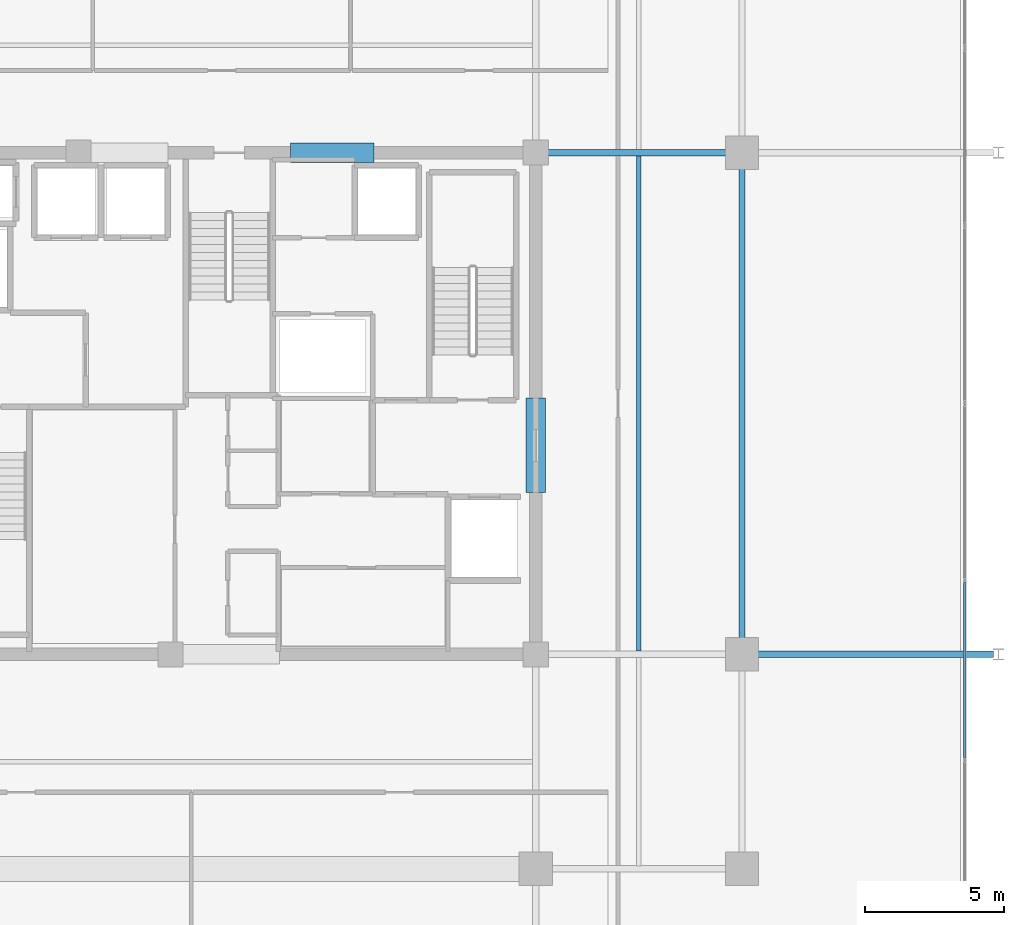
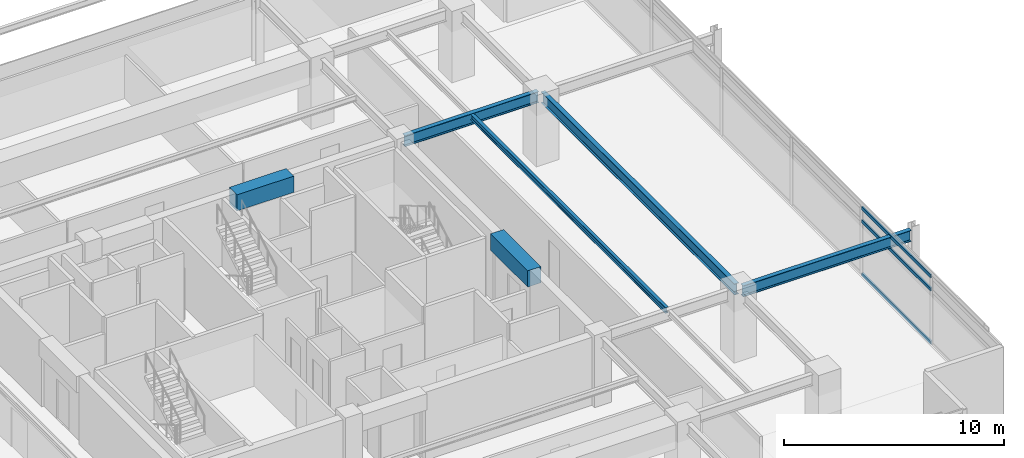
# One storey, part 8 of 18: 6 beams, 3 members, 1 element without a shape of its own.
"""IFC4 building model written with IfcOpenShell, lengths in metres."""

from ifc_helpers import new_model, si_unit, direction, frame, origin, origin_2d, place, context, subcontext, project, spatial, rectangle, hollow_rectangle, i_section, extrude, material, material_profile, profile_set, type_object, element, aggregate, save


model = new_model("IFC4")

# Units and contexts
model_context = context("Model", 3, precision=1e-05, world=origin(), true_north=direction((0.0, 1.0)))
body_context = subcontext(model_context, "Body", "Model", "MODEL_VIEW")
ifc_project = project(units=[si_unit("LENGTHUNIT", "METRE"), si_unit("AREAUNIT", "SQUARE_METRE"), si_unit("VOLUMEUNIT", "CUBIC_METRE"), si_unit("PLANEANGLEUNIT", "RADIAN"), si_unit("MASSUNIT", "GRAM", prefix="KILO")], contexts=[model_context])

# Site, building, storey
site_placement = place(None, origin())
site = spatial("IfcSite", under=ifc_project, at=site_placement, CompositionType="ELEMENT")
building_placement = place(site_placement, origin())
building = spatial("IfcBuilding", under=site, at=building_placement, Name="Kovane Verandah Tower", CompositionType="ELEMENT")
storey_placement = place(building_placement, frame((0.0, 0.0, 251.199951171875)))
storey = spatial("IfcBuildingStorey", under=building, at=storey_placement, Name="L58", CompositionType="ELEMENT", Elevation=251.199951171875)

# Beams
ifc_material_1 = material(Name="Concrete C60/75", Category="concrete")
ifc_material_profile_1 = material_profile(ifc_material_1, rectangle(XDim=0.699951171875, YDim=0.89990234375, at=origin_2d()), Name="RCB700x900")
ifc_profile_set_1 = profile_set([ifc_material_profile_1], Name="Concrete C60/75")
beam_type_1 = type_object("IfcBeamType", Name="BM-LINTEL-700x900", PredefinedType="LINTEL", material=ifc_profile_set_1)
beam_1_placement = place(storey_placement, frame((42.199951171875, 36.5, 3.3349609375), z_axis=(1.0, 0.0, 0.0), x_axis=(0.0, 1.0, 0.0)))
element("IfcBeam", 1, at=beam_1_placement, inside=storey, type_object=beam_type_1, Name="L58 Core Coupling Lintel CL-N2", PredefinedType="LINTEL", context=body_context, shape_type="SweptSolid", body=[
    extrude(rectangle(XDim=0.699951171875, YDim=0.89990234375, at=origin_2d()), origin(), (0.0, 0.0, 1.0), 3.0),
])
beam_2_placement = place(storey_placement, frame((51.0, 24.300048828125, 3.3349609375), z_axis=(0.0, 1.0, 0.0), x_axis=(-1.0, 0.0, 0.0)))
element("IfcBeam", 2, at=beam_2_placement, inside=storey, type_object=beam_type_1, Name="L58 Core Coupling Lintel CL-E", PredefinedType="LINTEL", context=body_context, shape_type="SweptSolid", body=[
    extrude(rectangle(XDim=0.699951171875, YDim=0.89990234375, at=origin_2d()), origin(), (0.0, 0.0, 1.0), 3.39990234375),
])
ifc_material_2 = material(Name="Steel S355", Category="steel")
ifc_material_profile_2 = material_profile(ifc_material_2, i_section(OverallWidth=0.230224609375, OverallDepth=0.6171875, WebThickness=0.01318359375, FlangeThickness=0.022216796875, FilletRadius=0.0126953125, at=origin_2d()), Name="UB610x229x140")
ifc_profile_set_2 = profile_set([ifc_material_profile_2], Name="Steel S355")
beam_type_2 = type_object("IfcBeamType", Name="BM-UB610x140", PredefinedType="BEAM", material=ifc_profile_set_2)
beam_3_placement = place(storey_placement, frame((58.39990234375, 18.679931640625, 3.4765625), z_axis=(0.0, 1.0, 0.0), x_axis=(-1.0, 0.0, 0.0)))
element("IfcBeam", 3, at=beam_3_placement, inside=storey, type_object=beam_type_2, Name="L58 Primary Tower Girder G-RE2", PredefinedType="BEAM", context=body_context, shape_type="SweptSolid", body=[
    extrude(i_section(OverallWidth=0.230224609375, OverallDepth=0.6171875, WebThickness=0.01318359375, FlangeThickness=0.022216796875, FilletRadius=0.0126953125, at=origin_2d()), origin(), (0.0, 0.0, 1.0), 17.64013671875),
])
beam_4_placement = place(storey_placement, frame((51.179931640625, 36.5, 3.4765625), z_axis=(1.0, 0.0, 0.0), x_axis=(0.0, 1.0, 0.0)))
element("IfcBeam", 4, at=beam_4_placement, inside=storey, type_object=beam_type_2, Name="L58 Primary Tower Girder G-E2", PredefinedType="BEAM", context=body_context, shape_type="SweptSolid", body=[
    extrude(i_section(OverallWidth=0.230224609375, OverallDepth=0.6171875, WebThickness=0.01318359375, FlangeThickness=0.022216796875, FilletRadius=0.0126953125, at=origin_2d()), origin(), (0.0, 0.0, 1.0), 7.0400390625),
])
beam_5_placement = place(storey_placement, frame((58.580078125, 18.5, 3.451416015625), z_axis=(1.0, 0.0, 0.0), x_axis=(0.0, 1.0, 0.0)))
element("IfcBeam", 5, at=beam_5_placement, inside=storey, type_object=beam_type_2, Name="L58 Primary Tower Girder G-VE1", PredefinedType="BEAM", context=body_context, shape_type="SweptSolid", body=[
    extrude(i_section(OverallWidth=0.230224609375, OverallDepth=0.6171875, WebThickness=0.01318359375, FlangeThickness=0.022216796875, FilletRadius=0.0126953125, at=origin_2d()), origin(), (0.0, 0.0, 1.0), 8.83984375),
])

# Curtain wall, members
ifc_material_3 = material(Name="Champagne Anodised Aluminium Frame with Low-E Clear Laminated Glass", Category="aluminium")
curtain_wall_type = type_object("IfcCurtainWallType", Name="CW-SYS-05-HIGH", PredefinedType="NOTDEFINED", material=ifc_material_3)
curtain_wall_placement = place(storey_placement, origin())
curtain_wall = element("IfcCurtainWall", 6, at=curtain_wall_placement, inside=storey, type_object=curtain_wall_type, Name="L58 E Unitised Curtain Wall", PredefinedType="NOTDEFINED")
ifc_material_4 = material(Name="Champagne Anodised Aluminium 6063-T6", Category="aluminium")
ifc_material_profile_3 = material_profile(ifc_material_4, hollow_rectangle(XDim=0.0849609375, YDim=0.18994140625, WallThickness=0.00390625, at=origin_2d()), Name="AL85x190x4")
ifc_profile_set_3 = profile_set([ifc_material_profile_3], Name="Champagne Anodised Aluminium 6063-T6")
member_type = type_object("IfcMemberType", Name="CW-TRN-85x190", PredefinedType="USERDEFINED", material=ifc_profile_set_3)
member_1_placement = place(storey_placement, frame((66.396240234375, 14.79150390625, 0.050048828125), z_axis=(0.0, 1.0, 0.0), x_axis=(-1.0, 0.0, 0.0)))
member_1 = element("IfcMember", 7, at=member_1_placement, type_object=member_type, Name="L58 E Unitised Curtain Wall Transom TB Bay 2", ObjectType="TRANSOM", PredefinedType="USERDEFINED", context=body_context, shape_type="SweptSolid", body=[
    extrude(hollow_rectangle(XDim=0.0849609375, YDim=0.18994140625, WallThickness=0.00390625, at=origin_2d()), origin(), (0.0, 0.0, 1.0), 6.279296875),
])
member_2_placement = place(storey_placement, frame((66.396240234375, 14.79150390625, 3.005126953125), z_axis=(0.0, 1.0, 0.0), x_axis=(-1.0, 0.0, 0.0)))
member_2 = element("IfcMember", 8, at=member_2_placement, type_object=member_type, Name="L58 E Unitised Curtain Wall Transom TM Bay 2", ObjectType="TRANSOM", PredefinedType="USERDEFINED", context=body_context, shape_type="SweptSolid", body=[
    extrude(hollow_rectangle(XDim=0.0849609375, YDim=0.18994140625, WallThickness=0.00390625, at=origin_2d()), origin(), (0.0, 0.0, 1.0), 6.279296875),
])
member_3_placement = place(storey_placement, frame((66.396240234375, 14.79150390625, 3.735107421875), z_axis=(0.0, 1.0, 0.0), x_axis=(-1.0, 0.0, 0.0)))
member_3 = element("IfcMember", 9, at=member_3_placement, type_object=member_type, Name="L58 E Unitised Curtain Wall Transom TT Bay 2", ObjectType="TRANSOM", PredefinedType="USERDEFINED", context=body_context, shape_type="SweptSolid", body=[
    extrude(hollow_rectangle(XDim=0.0849609375, YDim=0.18994140625, WallThickness=0.00390625, at=origin_2d()), origin(), (0.0, 0.0, 1.0), 6.279296875),
])
aggregate(curtain_wall, [member_1, member_2, member_3])

# Beam
ifc_material_profile_4 = material_profile(ifc_material_2, i_section(OverallWidth=0.1669921875, OverallDepth=0.310302734375, WebThickness=0.0078125, FlangeThickness=0.013671875, FilletRadius=0.0087890625, at=origin_2d()), Name="UB305x165x54")
ifc_profile_set_4 = profile_set([ifc_material_profile_4], Name="Steel S355")
beam_type_3 = type_object("IfcBeamType", Name="JST-UB305x54", PredefinedType="JOIST", material=ifc_profile_set_4)
beam_6_placement = place(storey_placement, frame((54.699951171875, 18.613037109375, 3.6298828125), z_axis=(0.0, 1.0, 0.0), x_axis=(-1.0, 0.0, 0.0)))
element("IfcBeam", 10, at=beam_6_placement, inside=storey, type_object=beam_type_3, Name="L58 Secondary Composite Joist J-E1", PredefinedType="JOIST", context=body_context, shape_type="SweptSolid", body=[
    extrude(i_section(OverallWidth=0.1669921875, OverallDepth=0.310302734375, WebThickness=0.0078125, FlangeThickness=0.013671875, FilletRadius=0.0087890625, at=origin_2d()), origin(), (0.0, 0.0, 1.0), 17.77392578125),
])

save(model, "model.ifc")
